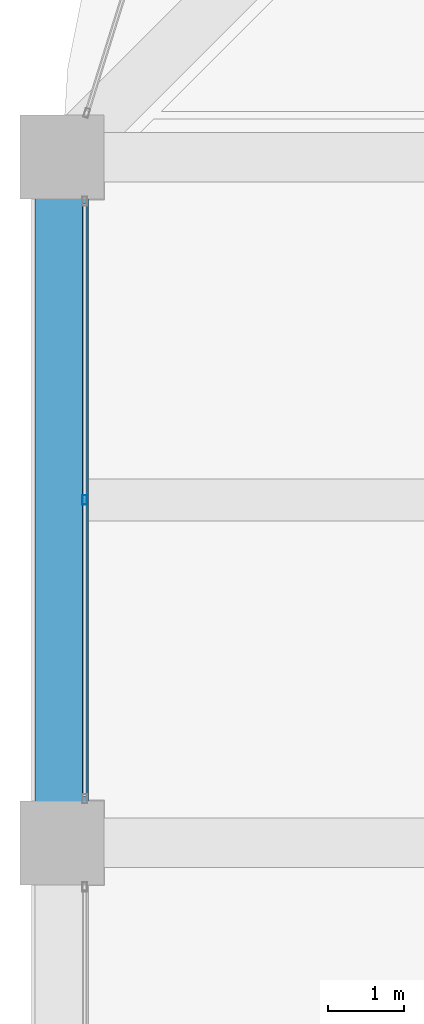
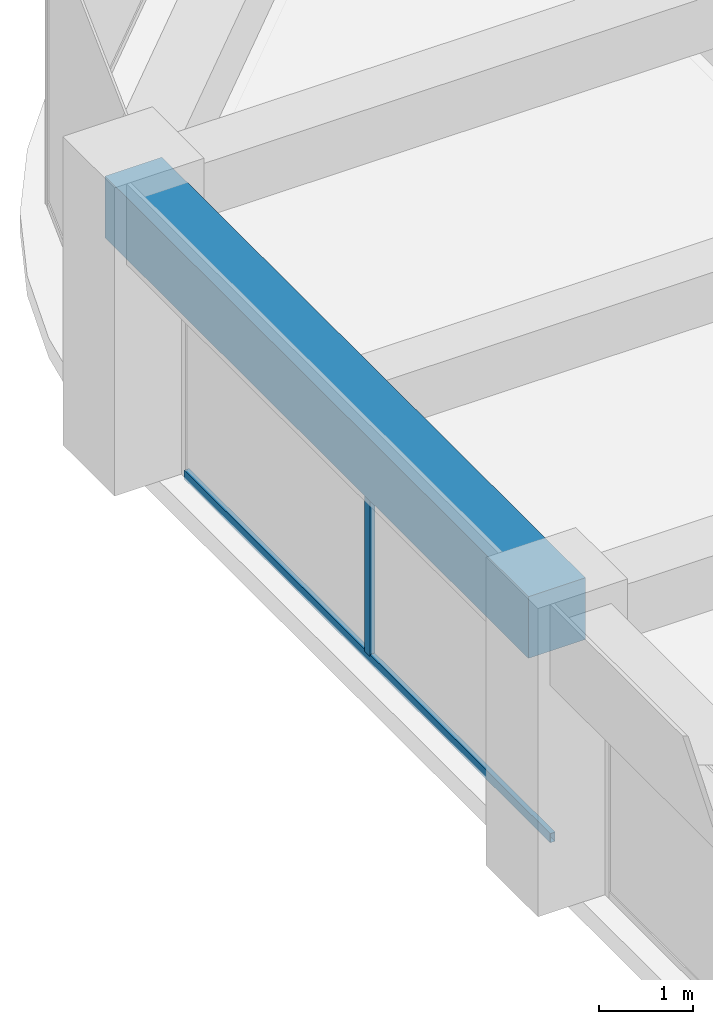
# One storey, part 16 of 45: 2 members, 1 beam, 1 element without a shape of its own.
"""IFC4 building model written with IfcOpenShell, lengths in metres."""

from ifc_helpers import new_model, si_unit, direction, frame, origin, origin_2d, place, context, subcontext, project, spatial, rectangle, hollow_rectangle, extrude, material, material_profile, profile_set, type_object, element, aggregate, save


model = new_model("IFC4")

# Units and contexts
model_context = context("Model", 3, precision=1e-05, world=origin(), true_north=direction((0.0, 1.0)))
body_context = subcontext(model_context, "Body", "Model", "MODEL_VIEW")
ifc_project = project(units=[si_unit("LENGTHUNIT", "METRE"), si_unit("AREAUNIT", "SQUARE_METRE"), si_unit("VOLUMEUNIT", "CUBIC_METRE"), si_unit("PLANEANGLEUNIT", "RADIAN"), si_unit("MASSUNIT", "GRAM", prefix="KILO")], contexts=[model_context])

# Site, building, storey
site_placement = place(None, origin())
site = spatial("IfcSite", under=ifc_project, at=site_placement, CompositionType="ELEMENT")
building_placement = place(site_placement, origin())
building = spatial("IfcBuilding", under=site, at=building_placement, Name="Zorevar Civic Tower", CompositionType="ELEMENT")
storey_placement = place(building_placement, frame((0.0, 0.0, 279.39990234375)))
storey = spatial("IfcBuildingStorey", under=building, at=storey_placement, Name="L68", CompositionType="ELEMENT", Elevation=279.39990234375)

# Curtain wall, members
ifc_material_1 = material(Name="Dark grey solar-control glass in black aluminium frame", Category="aluminium")
curtain_wall_type = type_object("IfcCurtainWallType", Name="Curtain wall CW5 top zone", PredefinedType="NOTDEFINED", material=ifc_material_1)
curtain_wall_placement = place(storey_placement, origin())
curtain_wall = element("IfcCurtainWall", 1, at=curtain_wall_placement, inside=storey, type_object=curtain_wall_type, Name="CW5 L68", PredefinedType="NOTDEFINED")
ifc_material_2 = material(Name="Aluminium, black anodised", Category="aluminium")
ifc_material_profile_1 = material_profile(ifc_material_2, hollow_rectangle(XDim=0.06005859375, YDim=0.1201171875, WallThickness=0.0029296875, at=origin_2d()), Name="AL 120x60x3")
ifc_profile_set_1 = profile_set([ifc_material_profile_1], Name="Aluminium, black anodised")
member_type_1 = type_object("IfcMemberType", Name="CW5 mullion AL 120x60x3", PredefinedType="MULLION", material=ifc_profile_set_1)
member_1_placement = place(storey_placement, frame((9.300048828125, 31.5, 0.06005859375), z_axis=(0.0, 0.0, 1.0), x_axis=(-1.0, 0.0, 0.0)))
member_1 = element("IfcMember", 2, at=member_1_placement, type_object=member_type_1, Name="CW5 mullion 2", PredefinedType="MULLION", context=body_context, shape_type="SweptSolid", body=[
    extrude(hollow_rectangle(XDim=0.06005859375, YDim=0.1201171875, WallThickness=0.0029296875, at=origin_2d()), origin(), (0.0, 0.0, 1.0), 2.89013671875),
])
ifc_material_3 = material(Name="Aluminium, black anodised", Category="aluminium")
ifc_material_profile_2 = material_profile(ifc_material_3, hollow_rectangle(XDim=0.06005859375, YDim=0.1201171875, WallThickness=0.0029296875, at=origin_2d()), Name="AL 120x60x3")
ifc_profile_set_2 = profile_set([ifc_material_profile_2], Name="Aluminium, black anodised")
member_type_2 = type_object("IfcMemberType", Name="CW5 transom AL 120x60x3", PredefinedType="USERDEFINED", material=ifc_profile_set_2)
member_2_placement = place(storey_placement, frame((9.300048828125, 27.610107421875, 0.030029296875), z_axis=(0.0, 1.0, 0.0), x_axis=(-1.0, 0.0, 0.0)))
member_2 = element("IfcMember", 3, at=member_2_placement, type_object=member_type_2, Name="CW5 sill transom", ObjectType="TRANSOM", PredefinedType="USERDEFINED", context=body_context, shape_type="SweptSolid", body=[
    extrude(hollow_rectangle(XDim=0.06005859375, YDim=0.1201171875, WallThickness=0.0029296875, at=origin_2d()), origin(), (0.0, 0.0, 1.0), 7.77978515625),
])
aggregate(curtain_wall, [member_1, member_2])

# Beam
ifc_material_4 = material(Name="Concrete C50/60", Category="concrete")
ifc_material_profile_3 = material_profile(ifc_material_4, rectangle(XDim=0.699951171875, YDim=0.800048828125, at=origin_2d()), Name="RC 700x800")
ifc_profile_set_3 = profile_set([ifc_material_profile_3], Name="Concrete C50/60")
beam_type = type_object("IfcBeamType", Name="Edge beam RC 700x800", PredefinedType="SPANDREL", material=ifc_profile_set_3)
beam_placement = place(storey_placement, frame((9.0, 27.0, 3.35009765625), z_axis=(0.0, 1.0, 0.0), x_axis=(-1.0, 0.0, 0.0)))
element("IfcBeam", 4, at=beam_placement, inside=storey, type_object=beam_type, Name="Edge beam L69", PredefinedType="SPANDREL", context=body_context, shape_type="SweptSolid", body=[
    extrude(rectangle(XDim=0.699951171875, YDim=0.800048828125, at=origin_2d()), origin(), (0.0, 0.0, 1.0), 9.0),
])

save(model, "model.ifc")
